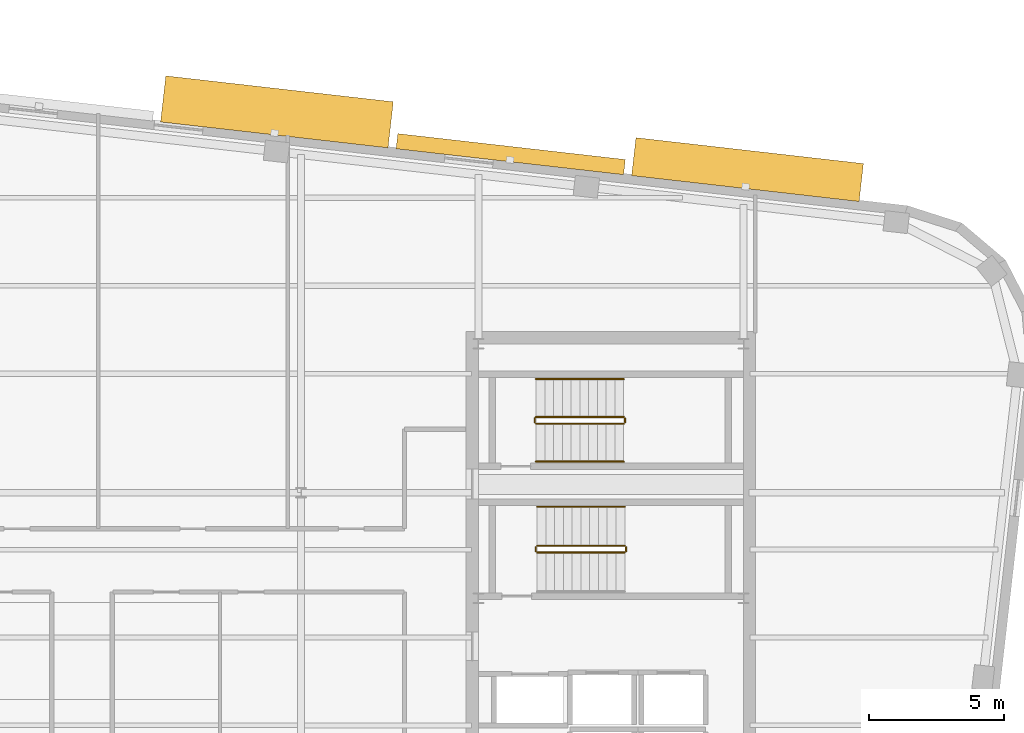
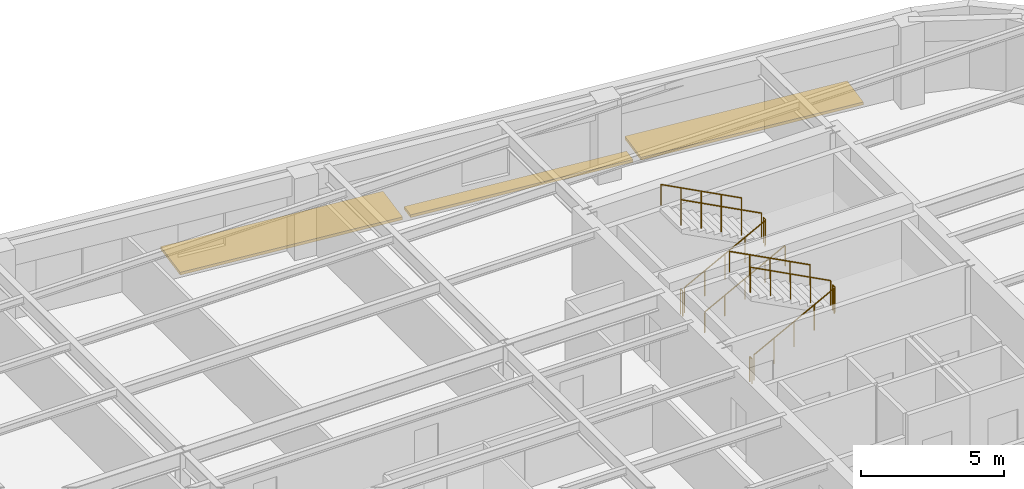
# One storey, part 13 of 13: 11 railings, 3 shading devices.
"""IFC4 building model written with IfcOpenShell, lengths in metres."""

from ifc_helpers import new_model, si_unit, direction, frame, origin, origin_2d, place, context, subcontext, project, spatial, rectangle, circle, extrude, material, type_object, element, save


model = new_model("IFC4")

# Units and contexts
model_context = context("Model", 3, precision=1e-05, world=origin(), true_north=direction((0.0, 1.0)))
body_context = subcontext(model_context, "Body", "Model", "MODEL_VIEW")
ifc_project = project(units=[si_unit("LENGTHUNIT", "METRE"), si_unit("AREAUNIT", "SQUARE_METRE"), si_unit("VOLUMEUNIT", "CUBIC_METRE"), si_unit("PLANEANGLEUNIT", "RADIAN"), si_unit("MASSUNIT", "GRAM", prefix="KILO")], contexts=[model_context])

# Site, building, storey
site_placement = place(None, origin())
site = spatial("IfcSite", under=ifc_project, at=site_placement, CompositionType="ELEMENT")
building_placement = place(site_placement, origin())
building = spatial("IfcBuilding", under=site, at=building_placement, Name="Kolvaren Arena Tower", CompositionType="ELEMENT")
storey_placement = place(building_placement, frame((0.0, 0.0, 228.449951171875)))
storey = spatial("IfcBuildingStorey", under=building, at=storey_placement, Name="L55", CompositionType="ELEMENT", Elevation=228.449951171875)

# Railings
ifc_material_1 = material(Name="Painted galvanized steel", Category="steel")
railing_type_1 = type_object("IfcRailingType", Name="GUARD-ST-110", PredefinedType="GUARDRAIL", material=ifc_material_1)
railing_1_placement = place(storey_placement, frame((52.719970703125, 31.639892578125, 0.17041015625)))
element("IfcRailing", 1, at=railing_1_placement, inside=storey, type_object=railing_type_1, Name="L55 ST-E1 stair guard 1", PredefinedType="GUARDRAIL", context=body_context, shape_type="SweptSolid", body=[
    extrude(circle(Radius=0.02392578125, at=origin_2d()), frame((0.0, 0.0, 1.076171875), z_axis=(0.884993431791, 0.0, 0.465603506952), x_axis=(0.0, 1.0, 0.0)), (0.0, 0.0, 1.0), 3.6611328125),
    extrude(circle(Radius=0.02099609375, at=origin_2d()), origin(), (0.0, 0.0, 1.0), 1.052001953125),
    extrude(circle(Radius=0.02099609375, at=origin_2d()), frame((0.81005859375, 0.0, 0.42626953125)), (0.0, 0.0, 1.0), 1.052001953125),
    extrude(circle(Radius=0.02099609375, at=origin_2d()), frame((1.6201171875, 0.0, 0.852294921875)), (0.0, 0.0, 1.0), 1.052001953125),
    extrude(circle(Radius=0.02099609375, at=origin_2d()), frame((2.429931640625, 0.0, 1.2783203125)), (0.0, 0.0, 1.0), 1.052001953125),
    extrude(circle(Radius=0.02099609375, at=origin_2d()), frame((3.239990234375, 0.0, 1.70458984375)), (0.0, 0.0, 1.0), 1.052001953125),
])
railing_2_placement = place(storey_placement, frame((56.010009765625, 31.68994140625, 1.875)))
element("IfcRailing", 2, at=railing_2_placement, inside=storey, type_object=railing_type_1, Name="L55 ST-E1 stair guard 2", PredefinedType="GUARDRAIL", context=body_context, shape_type="SweptSolid", body=[
    extrude(circle(Radius=0.02392578125, at=origin_2d()), frame((0.0, 0.0, 1.076171875), z_axis=(0.0, 1.0, 0.0), x_axis=(-1.0, 0.0, 0.0)), (0.0, 0.0, 1.0), 0.150146484375),
    extrude(circle(Radius=0.02099609375, at=origin_2d()), origin(), (0.0, 0.0, 1.0), 1.052001953125),
    extrude(circle(Radius=0.02099609375, at=origin_2d()), frame((0.0, 0.150146484375, 0.0)), (0.0, 0.0, 1.0), 1.052001953125),
])
railing_3_placement = place(storey_placement, frame((55.9599609375, 31.889892578125, 2.04541015625)))
element("IfcRailing", 3, at=railing_3_placement, inside=storey, type_object=railing_type_1, Name="L55 ST-E1 stair guard 3", PredefinedType="GUARDRAIL", context=body_context, shape_type="SweptSolid", body=[
    extrude(circle(Radius=0.02392578125, at=origin_2d()), frame((0.0, 0.0, 1.076171875), z_axis=(-0.884993431791, 0.0, 0.465603506952), x_axis=(0.0, -1.0, 0.0)), (0.0, 0.0, 1.0), 3.6611328125),
    extrude(circle(Radius=0.02099609375, at=origin_2d()), origin(), (0.0, 0.0, 1.0), 1.052001953125),
    extrude(circle(Radius=0.02099609375, at=origin_2d()), frame((-0.81005859375, 0.0, 0.42626953125)), (0.0, 0.0, 1.0), 1.052001953125),
    extrude(circle(Radius=0.02099609375, at=origin_2d()), frame((-1.6201171875, 0.0, 0.852294921875)), (0.0, 0.0, 1.0), 1.052001953125),
    extrude(circle(Radius=0.02099609375, at=origin_2d()), frame((-2.429931640625, 0.0, 1.2783203125)), (0.0, 0.0, 1.0), 1.052001953125),
    extrude(circle(Radius=0.02099609375, at=origin_2d()), frame((-3.239990234375, 0.0, 1.70458984375)), (0.0, 0.0, 1.0), 1.052001953125),
])
railing_4_placement = place(storey_placement, frame((52.669921875, 31.68994140625, 0.0)))
element("IfcRailing", 4, at=railing_4_placement, inside=storey, type_object=railing_type_1, Name="L55 ST-E1 stair guard 4", PredefinedType="GUARDRAIL", context=body_context, shape_type="SweptSolid", body=[
    extrude(circle(Radius=0.02392578125, at=origin_2d()), frame((0.0, 0.0, 1.076171875), z_axis=(0.0, 1.0, 0.0), x_axis=(-1.0, 0.0, 0.0)), (0.0, 0.0, 1.0), 0.150146484375),
    extrude(circle(Radius=0.02099609375, at=origin_2d()), origin(), (0.0, 0.0, 1.0), 1.052001953125),
    extrude(circle(Radius=0.02099609375, at=origin_2d()), frame((0.0, 0.150146484375, 0.0)), (0.0, 0.0, 1.0), 1.052001953125),
])
railing_5_placement = place(storey_placement, frame((52.679931640625, 36.39990234375, 0.17041015625)))
element("IfcRailing", 5, at=railing_5_placement, inside=storey, type_object=railing_type_1, Name="L55 ST-E2 stair guard 1", PredefinedType="GUARDRAIL", context=body_context, shape_type="SweptSolid", body=[
    extrude(circle(Radius=0.02392578125, at=origin_2d()), frame((0.0, 0.0, 1.076171875), z_axis=(0.884993431791, 0.0, 0.465603506952), x_axis=(0.0, 1.0, 0.0)), (0.0, 0.0, 1.0), 3.6611328125),
    extrude(circle(Radius=0.02099609375, at=origin_2d()), origin(), (0.0, 0.0, 1.0), 1.052001953125),
    extrude(circle(Radius=0.02099609375, at=origin_2d()), frame((0.81005859375, 0.0, 0.42626953125)), (0.0, 0.0, 1.0), 1.052001953125),
    extrude(circle(Radius=0.02099609375, at=origin_2d()), frame((1.6201171875, 0.0, 0.852294921875)), (0.0, 0.0, 1.0), 1.052001953125),
    extrude(circle(Radius=0.02099609375, at=origin_2d()), frame((2.429931640625, 0.0, 1.2783203125)), (0.0, 0.0, 1.0), 1.052001953125),
    extrude(circle(Radius=0.02099609375, at=origin_2d()), frame((3.239990234375, 0.0, 1.70458984375)), (0.0, 0.0, 1.0), 1.052001953125),
])
railing_6_placement = place(storey_placement, frame((55.969970703125, 36.449951171875, 1.875)))
element("IfcRailing", 6, at=railing_6_placement, inside=storey, type_object=railing_type_1, Name="L55 ST-E2 stair guard 2", PredefinedType="GUARDRAIL", context=body_context, shape_type="SweptSolid", body=[
    extrude(circle(Radius=0.02392578125, at=origin_2d()), frame((0.0, 0.0, 1.076171875), z_axis=(0.0, 1.0, 0.0), x_axis=(-1.0, 0.0, 0.0)), (0.0, 0.0, 1.0), 0.150146484375),
    extrude(circle(Radius=0.02099609375, at=origin_2d()), origin(), (0.0, 0.0, 1.0), 1.052001953125),
    extrude(circle(Radius=0.02099609375, at=origin_2d()), frame((0.0, 0.150146484375, 0.0)), (0.0, 0.0, 1.0), 1.052001953125),
])
railing_7_placement = place(storey_placement, frame((55.919921875, 36.64990234375, 2.04541015625)))
element("IfcRailing", 7, at=railing_7_placement, inside=storey, type_object=railing_type_1, Name="L55 ST-E2 stair guard 3", PredefinedType="GUARDRAIL", context=body_context, shape_type="SweptSolid", body=[
    extrude(circle(Radius=0.02392578125, at=origin_2d()), frame((0.0, 0.0, 1.076171875), z_axis=(-0.884993431791, 0.0, 0.465603506952), x_axis=(0.0, -1.0, 0.0)), (0.0, 0.0, 1.0), 3.6611328125),
    extrude(circle(Radius=0.02099609375, at=origin_2d()), origin(), (0.0, 0.0, 1.0), 1.052001953125),
    extrude(circle(Radius=0.02099609375, at=origin_2d()), frame((-0.81005859375, 0.0, 0.42626953125)), (0.0, 0.0, 1.0), 1.052001953125),
    extrude(circle(Radius=0.02099609375, at=origin_2d()), frame((-1.6201171875, 0.0, 0.852294921875)), (0.0, 0.0, 1.0), 1.052001953125),
    extrude(circle(Radius=0.02099609375, at=origin_2d()), frame((-2.429931640625, 0.0, 1.2783203125)), (0.0, 0.0, 1.0), 1.052001953125),
    extrude(circle(Radius=0.02099609375, at=origin_2d()), frame((-3.239990234375, 0.0, 1.70458984375)), (0.0, 0.0, 1.0), 1.052001953125),
])
railing_8_placement = place(storey_placement, frame((52.6298828125, 36.449951171875, 0.0)))
element("IfcRailing", 8, at=railing_8_placement, inside=storey, type_object=railing_type_1, Name="L55 ST-E2 stair guard 4", PredefinedType="GUARDRAIL", context=body_context, shape_type="SweptSolid", body=[
    extrude(circle(Radius=0.02392578125, at=origin_2d()), frame((0.0, 0.0, 1.076171875), z_axis=(0.0, 1.0, 0.0), x_axis=(-1.0, 0.0, 0.0)), (0.0, 0.0, 1.0), 0.150146484375),
    extrude(circle(Radius=0.02099609375, at=origin_2d()), origin(), (0.0, 0.0, 1.0), 1.052001953125),
    extrude(circle(Radius=0.02099609375, at=origin_2d()), frame((0.0, 0.150146484375, 0.0)), (0.0, 0.0, 1.0), 1.052001953125),
])
ifc_material_2 = material(Name="Brushed stainless steel handrail", Category="steel")
railing_type_2 = type_object("IfcRailingType", Name="HRAIL-900", PredefinedType="HANDRAIL", material=ifc_material_2)
railing_9_placement = place(storey_placement, frame((55.9599609375, 33.330078125, 2.04541015625)))
element("IfcRailing", 9, at=railing_9_placement, inside=storey, type_object=railing_type_2, Name="L55 ST-E1 stair handrail 2", PredefinedType="HANDRAIL", context=body_context, shape_type="SweptSolid", body=[
    extrude(circle(Radius=0.02392578125, at=origin_2d()), frame((0.0, 0.0, 0.8759765625), z_axis=(-0.884993431791, 0.0, 0.465603506952), x_axis=(0.0, -1.0, 0.0)), (0.0, 0.0, 1.0), 3.6611328125),
    extrude(circle(Radius=0.02099609375, at=origin_2d()), origin(), (0.0, 0.0, 1.0), 0.851806640625),
    extrude(circle(Radius=0.02099609375, at=origin_2d()), frame((-0.81005859375, 0.0, 0.42626953125)), (0.0, 0.0, 1.0), 0.851806640625),
    extrude(circle(Radius=0.02099609375, at=origin_2d()), frame((-1.6201171875, 0.0, 0.852294921875)), (0.0, 0.0, 1.0), 0.851806640625),
    extrude(circle(Radius=0.02099609375, at=origin_2d()), frame((-2.429931640625, 0.0, 1.2783203125)), (0.0, 0.0, 1.0), 0.851806640625),
    extrude(circle(Radius=0.02099609375, at=origin_2d()), frame((-3.239990234375, 0.0, 1.70458984375)), (0.0, 0.0, 1.0), 0.851806640625),
])
railing_10_placement = place(storey_placement, frame((52.679931640625, 35.0, 0.17041015625)))
element("IfcRailing", 10, at=railing_10_placement, inside=storey, type_object=railing_type_2, Name="L55 ST-E2 stair handrail 1", PredefinedType="HANDRAIL", context=body_context, shape_type="SweptSolid", body=[
    extrude(circle(Radius=0.02392578125, at=origin_2d()), frame((0.0, 0.0, 0.8759765625), z_axis=(0.884993431791, 0.0, 0.465603506952), x_axis=(0.0, 1.0, 0.0)), (0.0, 0.0, 1.0), 3.6611328125),
    extrude(circle(Radius=0.02099609375, at=origin_2d()), origin(), (0.0, 0.0, 1.0), 0.851806640625),
    extrude(circle(Radius=0.02099609375, at=origin_2d()), frame((0.81005859375, 0.0, 0.42626953125)), (0.0, 0.0, 1.0), 0.851806640625),
    extrude(circle(Radius=0.02099609375, at=origin_2d()), frame((1.6201171875, 0.0, 0.852294921875)), (0.0, 0.0, 1.0), 0.851806640625),
    extrude(circle(Radius=0.02099609375, at=origin_2d()), frame((2.429931640625, 0.0, 1.2783203125)), (0.0, 0.0, 1.0), 0.851806640625),
    extrude(circle(Radius=0.02099609375, at=origin_2d()), frame((3.239990234375, 0.0, 1.70458984375)), (0.0, 0.0, 1.0), 0.851806640625),
])
railing_11_placement = place(storey_placement, frame((55.919921875, 38.050048828125, 2.04541015625)))
element("IfcRailing", 11, at=railing_11_placement, inside=storey, type_object=railing_type_2, Name="L55 ST-E2 stair handrail 2", PredefinedType="HANDRAIL", context=body_context, shape_type="SweptSolid", body=[
    extrude(circle(Radius=0.02392578125, at=origin_2d()), frame((0.0, 0.0, 0.8759765625), z_axis=(-0.884993431791, 0.0, 0.465603506952), x_axis=(0.0, -1.0, 0.0)), (0.0, 0.0, 1.0), 3.6611328125),
    extrude(circle(Radius=0.02099609375, at=origin_2d()), origin(), (0.0, 0.0, 1.0), 0.851806640625),
    extrude(circle(Radius=0.02099609375, at=origin_2d()), frame((-0.81005859375, 0.0, 0.42626953125)), (0.0, 0.0, 1.0), 0.851806640625),
    extrude(circle(Radius=0.02099609375, at=origin_2d()), frame((-1.6201171875, 0.0, 0.852294921875)), (0.0, 0.0, 1.0), 0.851806640625),
    extrude(circle(Radius=0.02099609375, at=origin_2d()), frame((-2.429931640625, 0.0, 1.2783203125)), (0.0, 0.0, 1.0), 0.851806640625),
    extrude(circle(Radius=0.02099609375, at=origin_2d()), frame((-3.239990234375, 0.0, 1.70458984375)), (0.0, 0.0, 1.0), 0.851806640625),
])

# Shading devices
ifc_material_3 = material(Name="Architectural precast GFRC and anodised aluminium sunshade", Category="concrete")
shading_device_type_1 = type_object("IfcShadingDeviceType", Name="SHAD-SINE-A", PredefinedType="USERDEFINED", material=ifc_material_3)
shading_device_1_placement = place(storey_placement, frame((51.7451171875, 46.3603515625, -0.139892578125), z_axis=(0.0, 0.0, 1.0), x_axis=(0.993571658098, -0.113204947878, 0.0)))
element("IfcShadingDevice", 12, at=shading_device_1_placement, inside=storey, type_object=shading_device_type_1, Name="Sinusoidal Slab-Edge Sunshade Louvre (L55)", ObjectType="LOUVRE", PredefinedType="USERDEFINED", context=body_context, shape_type="SweptSolid", body=[
    extrude(rectangle(XDim=8.4599609375, YDim=0.564453125, at=origin_2d()), origin(), (0.0, 0.0, 1.0), 0.1201171875),
])
shading_device_type_2 = type_object("IfcShadingDeviceType", Name="SHAD-SINE-B", PredefinedType="JALOUSIE", material=ifc_material_3)
shading_device_2_placement = place(storey_placement, frame((43.1064453125, 47.92333984375, -0.139892578125), z_axis=(0.0, 0.0, 1.0), x_axis=(0.993571658098, -0.113204947878, 0.0)))
element("IfcShadingDevice", 13, at=shading_device_2_placement, inside=storey, type_object=shading_device_type_2, Name="Sinusoidal Slab-Edge Sunshade Louvre (L55)", PredefinedType="JALOUSIE", context=body_context, shape_type="SweptSolid", body=[
    extrude(rectangle(XDim=8.4599609375, YDim=1.71435546875, at=origin_2d()), origin(), (0.0, 0.0, 1.0), 0.1201171875),
])
shading_device_3_placement = place(storey_placement, frame((60.49658203125, 45.789794921875, -0.139892578125), z_axis=(0.0, 0.0, 1.0), x_axis=(0.993571658098, -0.113204947878, 0.0)))
element("IfcShadingDevice", 14, at=shading_device_3_placement, inside=storey, type_object=shading_device_type_2, Name="Sinusoidal Slab-Edge Sunshade Louvre (L55)", PredefinedType="JALOUSIE", context=body_context, shape_type="SweptSolid", body=[
    extrude(rectangle(XDim=8.4599609375, YDim=1.41162109375, at=origin_2d()), origin(), (0.0, 0.0, 1.0), 0.1201171875),
])

save(model, "model.ifc")
